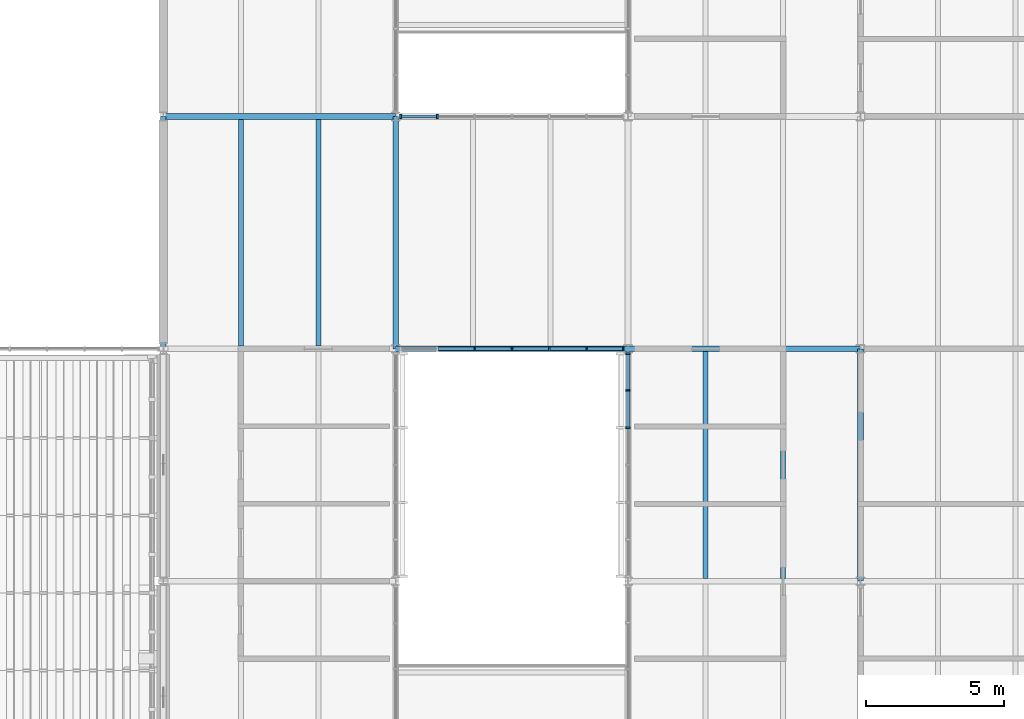
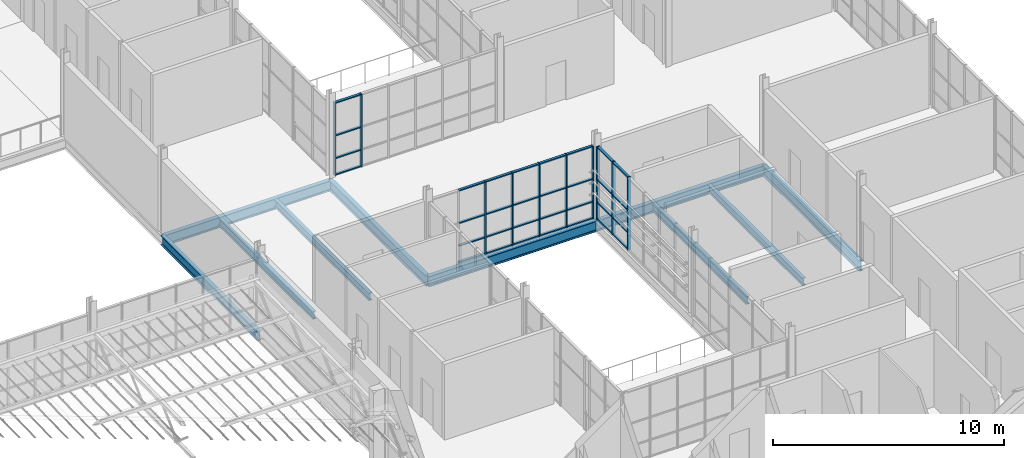
# One storey, part 42 of 129: 42 members, 10 beams, 3 elements without a shape of their own.
"""IFC4 building model written with IfcOpenShell, lengths in metres."""

import ifcopenshell
import ifcopenshell.guid

model = None  # the IFC model being written
_history = None  # IfcOwnerHistory: only IFC2X3 demands one
_inside = {}  # id of a spatial element -> (the spatial element, [elements in it])
_under = {}  # id of a project, library or spatial element -> (it, [spatial elements below it])
_declared = {}  # id of a project -> (the project, [libraries it declares])
_typed = {}  # id of a type object -> (the type object, [elements of that type])
_made_of = {}  # id of a material, layer set ... -> (it, [elements and type objects made of it])


def new_model(schema):
    """Start an empty IFC model of exactly this schema.

    Asked for "IFC4X3", IfcOpenShell would pick the latest addendum, in which some entities
    have other attributes; the version numbers below select the first issue.
    IFC2X3 requires an IfcOwnerHistory on every rooted entity: one is made here for all.
    """
    global model, _history
    if schema == "IFC4X3":
        model = ifcopenshell.file(schema_version=(4, 3, 0, 0))
    else:
        model = ifcopenshell.file(schema=schema)
    _inside.clear()
    _under.clear()
    _declared.clear()
    _typed.clear()
    _made_of.clear()
    _history = None
    if model.schema == "IFC2X3":
        org = make("IfcOrganization", Name="unknown")
        user = make(
            "IfcPersonAndOrganization",
            ThePerson=make("IfcPerson", FamilyName="unknown"),
            TheOrganization=org,
        )
        app = make(
            "IfcApplication",
            ApplicationDeveloper=org,
            Version="unknown",
            ApplicationFullName="unknown",
            ApplicationIdentifier="unknown",
        )
        _history = make(
            "IfcOwnerHistory",
            OwningUser=user,
            OwningApplication=app,
            ChangeAction="ADDED",
            CreationDate=0,
        )
    return model


def make(cls, **values):
    """One entity of the class cls with the attributes given. An attribute that is None is left unset."""
    return model.create_entity(
        cls, **{name: value for name, value in values.items() if value is not None}
    )


def rooted(cls, **values):
    """An entity with a GlobalId (a new one), such as an element, a storey or a relation."""
    return make(cls, GlobalId=ifcopenshell.guid.new(), OwnerHistory=_history, **values)


def si_unit(unit_type, name, prefix=None):
    """IfcSIUnit, for example si_unit("LENGTHUNIT", "METRE", prefix="MILLI")."""
    return make("IfcSIUnit", UnitType=unit_type, Prefix=prefix, Name=name)


def assignment(units):
    """IfcUnitAssignment: the units of a project."""
    return None if units is None else make("IfcUnitAssignment", Units=units)


def point(xyz):
    """IfcCartesianPoint."""
    return None if xyz is None else make("IfcCartesianPoint", Coordinates=xyz)


def direction(xyz):
    """IfcDirection."""
    return None if xyz is None else make("IfcDirection", DirectionRatios=xyz)


def frame(location, z_axis=None, x_axis=None):
    """IfcAxis2Placement3D, a coordinate frame: its origin and axes. An axis left out is left unset."""
    return make(
        "IfcAxis2Placement3D",
        Location=point(location),
        Axis=direction(z_axis),
        RefDirection=direction(x_axis),
    )


def frame_2d(location, x_axis=None):
    """IfcAxis2Placement2D, a coordinate frame in the plane: its origin and x axis."""
    return make(
        "IfcAxis2Placement2D", Location=point(location), RefDirection=direction(x_axis)
    )


def origin():
    """The frame at (0, 0, 0) with its axes left unset."""
    return frame((0.0, 0.0, 0.0))


def origin_2d():
    """The frame at (0, 0) in the plane with its x axis left unset."""
    return frame_2d((0.0, 0.0))


def place(relative_to, where):
    """IfcLocalPlacement: puts the frame where relative to a parent placement (None: the world)."""
    return make(
        "IfcLocalPlacement", PlacementRelTo=relative_to, RelativePlacement=where
    )


def context(
    kind, dimensions, precision=None, world=None, true_north=None, identifier=None
):
    """IfcGeometricRepresentationContext, for example the 3D "Model" context."""
    return make(
        "IfcGeometricRepresentationContext",
        ContextIdentifier=identifier,
        ContextType=kind,
        CoordinateSpaceDimension=dimensions,
        Precision=precision,
        WorldCoordinateSystem=world,
        TrueNorth=true_north,
    )


def subcontext(parent, identifier, kind, view, scale=None):
    """IfcGeometricRepresentationSubContext, for example "Body" below "Model"."""
    return make(
        "IfcGeometricRepresentationSubContext",
        ContextIdentifier=identifier,
        ContextType=kind,
        ParentContext=parent,
        TargetScale=scale,
        TargetView=view,
    )


def project(units=None, contexts=None):
    """IfcProject with its units and contexts."""
    return rooted(
        "IfcProject",
        Name="project",
        RepresentationContexts=contexts,
        UnitsInContext=assignment(units),
    )


def spatial(cls, under=None, at=None, **own):
    """A site, building, storey or space (cls), placed at a placement, below another one or the project."""
    s = rooted(cls, ObjectPlacement=at, **own)
    if under is not None:
        _under.setdefault(under.id(), (under, []))[1].append(s)
    return s


def profile(cls, at=None, kind="AREA", **sizes):
    """A parametric profile (cls). Its sizes go by their IFC names, for example OverallWidth=200.0."""
    return make(cls, ProfileType=kind, Position=at, **sizes)


def rectangle(**sizes):
    """IfcRectangleProfileDef."""
    return profile("IfcRectangleProfileDef", **sizes)


def i_section(**sizes):
    """IfcIShapeProfileDef."""
    return profile("IfcIShapeProfileDef", **sizes)


def extrude(swept, where, along, depth):
    """IfcExtrudedAreaSolid: the profile swept, set in the frame where, extruded along a direction by depth."""
    return make(
        "IfcExtrudedAreaSolid",
        SweptArea=swept,
        Position=where,
        ExtrudedDirection=direction(along),
        Depth=depth,
    )


def shape(context_of_items, identifier, shape_type, items):
    """IfcShapeRepresentation: the items that make up one representation, for example the "Body"."""
    return make(
        "IfcShapeRepresentation",
        ContextOfItems=context_of_items,
        RepresentationIdentifier=identifier,
        RepresentationType=shape_type,
        Items=items,
    )


def material(Name=None, Category=None):
    """IfcMaterial."""
    return make("IfcMaterial", Name=Name, Category=Category)


def layer(
    of_material, thickness, ventilated=None, Name=None, Category=None, Priority=None
):
    """IfcMaterialLayer: one layer of a wall or slab, of a material (None: an air gap)."""
    return make(
        "IfcMaterialLayer",
        Material=of_material,
        LayerThickness=thickness,
        IsVentilated=ventilated,
        Name=Name,
        Category=Category,
        Priority=Priority,
    )


def layer_set(layers, Name=None):
    """IfcMaterialLayerSet."""
    return make("IfcMaterialLayerSet", MaterialLayers=layers, LayerSetName=Name)


def material_profile(
    of_material, cross_section, Name=None, Category=None, Priority=None
):
    """IfcMaterialProfile: a cross section and its material."""
    return make(
        "IfcMaterialProfile",
        Name=Name,
        Material=of_material,
        Profile=cross_section,
        Priority=Priority,
        Category=Category,
    )


def profile_set(profiles, Name=None, composite=None):
    """IfcMaterialProfileSet."""
    return make(
        "IfcMaterialProfileSet",
        Name=Name,
        MaterialProfiles=profiles,
        CompositeProfile=composite,
    )


def made_of(thing, what):
    """Note that an element or type object is made of a material, layer set ...; save() writes the relation."""
    if what is not None:
        _made_of.setdefault(what.id(), (what, []))[1].append(thing)
    return thing


def type_object(cls, material=None, **own):
    """A type object (cls), such as IfcWallType, which elements share."""
    return made_of(rooted(cls, **own), material)


def element(
    cls,
    number,
    at=None,
    inside=None,
    cuts=None,
    type_object=None,
    material=None,
    context=None,
    identifier="Body",
    shape_type=None,
    held_by="IfcProductDefinitionShape",
    body=None,
    shapes=None,
    **own,
):
    """One element of the class cls, such as IfcWall. Its Tag is "e" and its number.

    at: its placement. inside: the storey or other place that contains it. cuts: it is an
    opening in that element (IfcRelVoidsElement). A single representation is given by context,
    identifier, shape_type and body (its items); several are given by shapes. held_by: the class
    of the entity that holds the representations. save() writes the other relations.
    """
    e = rooted(cls, Tag="e%d" % number, ObjectPlacement=at, **own)
    if body is not None:
        shapes = [shape(context, identifier, shape_type, body)]
    if shapes is not None:
        e.Representation = make(held_by, Representations=shapes)
    if inside is not None:
        _inside.setdefault(inside.id(), (inside, []))[1].append(e)
    if cuts is not None:
        rooted(
            "IfcRelVoidsElement", RelatingBuildingElement=cuts, RelatedOpeningElement=e
        )
    if type_object is not None:
        _typed.setdefault(type_object.id(), (type_object, []))[1].append(e)
    return made_of(e, material)


def aggregate(whole, parts):
    """IfcRelAggregates: a whole, such as a stair, and the parts it consists of."""
    return rooted("IfcRelAggregates", RelatingObject=whole, RelatedObjects=parts)


def save(model, path):
    """Write the relations noted so far, then the file.

    IfcRelAggregates (storeys below a building ...), IfcRelContainedInSpatialStructure (elements
    in a storey), IfcRelDefinesByType, IfcRelAssociatesMaterial and IfcRelDeclares: one each for
    every whole, place, type object, material and project.
    """
    for whole, parts in _under.values():
        aggregate(whole, parts)
    for where, things in _inside.values():
        rooted(
            "IfcRelContainedInSpatialStructure",
            RelatedElements=things,
            RelatingStructure=where,
        )
    for kind, things in _typed.values():
        rooted("IfcRelDefinesByType", RelatedObjects=things, RelatingType=kind)
    for what, things in _made_of.values():
        rooted("IfcRelAssociatesMaterial", RelatedObjects=things, RelatingMaterial=what)
    for by, libraries in _declared.values():
        rooted("IfcRelDeclares", RelatingContext=by, RelatedDefinitions=libraries)
    model.write(path)


model = new_model("IFC4")

# Units and contexts
model_context = context("Model", 3, precision=1e-05, world=origin(), true_north=direction((0.0, 1.0)))
body_context = subcontext(model_context, "Body", "Model", "MODEL_VIEW")
ifc_project = project(units=[si_unit("LENGTHUNIT", "METRE"), si_unit("AREAUNIT", "SQUARE_METRE"), si_unit("VOLUMEUNIT", "CUBIC_METRE"), si_unit("PLANEANGLEUNIT", "RADIAN"), si_unit("MASSUNIT", "GRAM", prefix="KILO")], contexts=[model_context])

# Site, building, storey
site_placement = place(None, origin())
site = spatial("IfcSite", under=ifc_project, at=site_placement, CompositionType="ELEMENT")
building_placement = place(site_placement, origin())
building = spatial("IfcBuilding", under=site, at=building_placement, Name="Ardhachandra Cancer Care Centre", CompositionType="ELEMENT")
storey_placement = place(building_placement, frame((0.0, 0.0, 4.5)))
storey = spatial("IfcBuildingStorey", under=building, at=storey_placement, Name="L01", CompositionType="ELEMENT", Elevation=4.5)

# Beams
ifc_material_1 = material(Name="Steel E350 (IS 2062)", Category="steel")
ifc_material_profile_1 = material_profile(ifc_material_1, i_section(OverallWidth=0.179931640625, OverallDepth=0.39990234375, WebThickness=0.008544921875, FlangeThickness=0.013427734375, FilletRadius=0.02099609375, at=origin_2d()), Name="NPB 400x180x66.30")
ifc_profile_set_1 = profile_set([ifc_material_profile_1], Name="Steel E350 (IS 2062)")
beam_type_1 = type_object("IfcBeamType", Name="Beam NPB 400x180x66.30", PredefinedType="BEAM", material=ifc_profile_set_1)
for number, where, z_axis, x_axis, name in (
    (1, (114.39990234375, 54.705078125, -0.35009765625), (0.0, 1.0, 0.0), (-1.0, 0.0, 0.0), "Secondary F13-G13@2800"),
    (2, (117.199951171875, 54.705078125, -0.35009765625), (0.0, 1.0, 0.0), (-1.0, 0.0, 0.0), "Secondary F13-G13@5600"),
):
    element("IfcBeam", number, at=place(storey_placement, frame(where, z_axis=z_axis, x_axis=x_axis)), inside=storey, type_object=beam_type_1, Name=name, PredefinedType="BEAM", context=body_context, shape_type="SweptSolid", body=[
        extrude(i_section(OverallWidth=0.179931640625, OverallDepth=0.39990234375, WebThickness=0.008544921875, FlangeThickness=0.013427734375, FilletRadius=0.02099609375, at=origin_2d()), origin(), (0.0, 0.0, 1.0), 8.18994140625),
    ])
for number, where, z_axis, x_axis, name in (
    (3, (131.199951171875, 46.304931640625, -0.35009765625), (0.0, 1.0, 0.0), (-1.0, 0.0, 0.0), "Secondary E15-F15@2800"),
    (4, (134.0, 46.304931640625, -0.35009765625), (0.0, 1.0, 0.0), (-1.0, 0.0, 0.0), "Secondary E15-F15@5600"),
):
    element("IfcBeam", number, at=place(storey_placement, frame(where, z_axis=z_axis, x_axis=x_axis)), inside=storey, type_object=beam_type_1, Name=name, PredefinedType="BEAM", context=body_context, shape_type="SweptSolid", body=[
        extrude(i_section(OverallWidth=0.179931640625, OverallDepth=0.39990234375, WebThickness=0.008544921875, FlangeThickness=0.013427734375, FilletRadius=0.02099609375, at=origin_2d()), origin(), (0.0, 0.0, 1.0), 8.190185546875),
    ])
ifc_material_2 = material(Name="Steel E350 (IS 2062)", Category="steel")
ifc_material_profile_2 = material_profile(ifc_material_2, i_section(OverallWidth=0.199951171875, OverallDepth=0.5, WebThickness=0.01025390625, FlangeThickness=0.01611328125, FilletRadius=0.02099609375, at=origin_2d()), Name="NPB 500x200x90.68")
ifc_profile_set_2 = profile_set([ifc_material_profile_2], Name="Steel E350 (IS 2062)")
beam_type_2 = type_object("IfcBeamType", Name="Beam NPB 500x200x90.68", PredefinedType="BEAM", material=ifc_profile_set_2)
beam_1_placement = place(storey_placement, frame((111.60009765625, 54.60009765625, -0.39990234375), z_axis=(0.0, 1.0, 0.0), x_axis=(-1.0, 0.0, 0.0)))
element("IfcBeam", 5, at=beam_1_placement, inside=storey, type_object=beam_type_2, Name="Edge girder F13-G13", PredefinedType="BEAM", context=body_context, shape_type="SweptSolid", body=[
    extrude(i_section(OverallWidth=0.199951171875, OverallDepth=0.5, WebThickness=0.01025390625, FlangeThickness=0.01611328125, FilletRadius=0.02099609375, at=origin_2d()), origin(), (0.0, 0.0, 1.0), 8.39990234375),
])
ifc_material_3 = material(Name="Steel E350 (IS 2062)", Category="steel")
ifc_material_profile_3 = material_profile(ifc_material_3, i_section(OverallWidth=0.2099609375, OverallDepth=0.550048828125, WebThickness=0.010986328125, FlangeThickness=0.01708984375, FilletRadius=0.02392578125, at=origin_2d()), Name="NPB 550x210x105.52")
ifc_profile_set_3 = profile_set([ifc_material_profile_3], Name="Steel E350 (IS 2062)")
beam_type_3 = type_object("IfcBeamType", Name="Beam NPB 550x210x105.52", PredefinedType="BEAM", material=ifc_profile_set_3)
beam_2_placement = place(storey_placement, frame((120.0, 54.60009765625, -0.425048828125), z_axis=(1.0, 0.0, 0.0), x_axis=(0.0, 1.0, 0.0)))
element("IfcBeam", 6, at=beam_2_placement, inside=storey, type_object=beam_type_3, Name="Girder F14-F15", PredefinedType="BEAM", context=body_context, shape_type="SweptSolid", body=[
    extrude(i_section(OverallWidth=0.2099609375, OverallDepth=0.550048828125, WebThickness=0.010986328125, FlangeThickness=0.01708984375, FilletRadius=0.02392578125, at=origin_2d()), origin(), (0.0, 0.0, 1.0), 8.39990234375),
])
beam_3_placement = place(storey_placement, frame((128.39990234375, 54.60009765625, -0.425048828125), z_axis=(1.0, 0.0, 0.0), x_axis=(0.0, 1.0, 0.0)))
element("IfcBeam", 7, at=beam_3_placement, inside=storey, type_object=beam_type_3, Name="Girder F15-F16", PredefinedType="BEAM", context=body_context, shape_type="SweptSolid", body=[
    extrude(i_section(OverallWidth=0.2099609375, OverallDepth=0.550048828125, WebThickness=0.010986328125, FlangeThickness=0.01708984375, FilletRadius=0.02392578125, at=origin_2d()), origin(), (0.0, 0.0, 1.0), 8.400146484375),
])
for number, where, z_axis, x_axis, name in (
    (8, (111.60009765625, 63.0, -0.425048828125), (1.0, 0.0, 0.0), (0.0, 1.0, 0.0), "Girder G13-G14"),
    (9, (120.0, 54.60009765625, -0.425048828125), (0.0, 1.0, 0.0), (-1.0, 0.0, 0.0), "Girder F14-G14"),
):
    element("IfcBeam", number, at=place(storey_placement, frame(where, z_axis=z_axis, x_axis=x_axis)), inside=storey, type_object=beam_type_3, Name=name, PredefinedType="BEAM", context=body_context, shape_type="SweptSolid", body=[
        extrude(i_section(OverallWidth=0.2099609375, OverallDepth=0.550048828125, WebThickness=0.010986328125, FlangeThickness=0.01708984375, FilletRadius=0.02392578125, at=origin_2d()), origin(), (0.0, 0.0, 1.0), 8.39990234375),
    ])
beam_4_placement = place(storey_placement, frame((136.800048828125, 46.199951171875, -0.425048828125), z_axis=(0.0, 1.0, 0.0), x_axis=(-1.0, 0.0, 0.0)))
element("IfcBeam", 10, at=beam_4_placement, inside=storey, type_object=beam_type_3, Name="Girder E16-F16", PredefinedType="BEAM", context=body_context, shape_type="SweptSolid", body=[
    extrude(i_section(OverallWidth=0.2099609375, OverallDepth=0.550048828125, WebThickness=0.010986328125, FlangeThickness=0.01708984375, FilletRadius=0.02392578125, at=origin_2d()), origin(), (0.0, 0.0, 1.0), 8.400146484375),
])

# Curtain wall, members
ifc_material_4 = material(Name="Aluminium extrusion", Category="aluminium")
ifc_layer = layer(ifc_material_4, 0.14990234375)
ifc_layer_set = layer_set([ifc_layer], Name="Aluminium extrusion")
curtain_wall_type = type_object("IfcCurtainWallType", Name="Curtain wall run", PredefinedType="NOTDEFINED", material=ifc_layer_set)
curtain_wall_1_placement = place(storey_placement, origin())
curtain_wall_1 = element("IfcCurtainWall", 11, at=curtain_wall_1_placement, inside=storey, type_object=curtain_wall_type, Name="Curtain wall L01 n/0120000_0063000", PredefinedType="NOTDEFINED")
ifc_material_5 = material(Name="Aluminium extrusion", Category="aluminium")
ifc_material_profile_4 = material_profile(ifc_material_5, rectangle(XDim=0.159912109375, YDim=0.06005859375, at=origin_2d()), Name="Curtain wall mullion 60 x 160")
ifc_profile_set_4 = profile_set([ifc_material_profile_4], Name="Aluminium extrusion")
member_type_1 = type_object("IfcMemberType", Name="Curtain wall mullion 60 x 160", PredefinedType="MULLION", material=ifc_profile_set_4)
member_1_placement = place(storey_placement, frame((120.179931640625, 63.0, 0.0), z_axis=(0.0, 0.0, 1.0), x_axis=(0.0, 1.0, 0.0)))
member_1 = element("IfcMember", 12, at=member_1_placement, type_object=member_type_1, Name="CW mullion 1", PredefinedType="MULLION", context=body_context, shape_type="SweptSolid", body=[
    extrude(rectangle(XDim=0.159912109375, YDim=0.06005859375, at=origin_2d()), origin(), (0.0, 0.0, 1.0), 3.85009765625),
])
member_2_placement = place(storey_placement, frame((121.5, 63.0, 0.0), z_axis=(0.0, 0.0, 1.0), x_axis=(0.0, 1.0, 0.0)))
member_2 = element("IfcMember", 13, at=member_2_placement, type_object=member_type_1, Name="CW mullion 2", PredefinedType="MULLION", context=body_context, shape_type="SweptSolid", body=[
    extrude(rectangle(XDim=0.159912109375, YDim=0.06005859375, at=origin_2d()), origin(), (0.0, 0.0, 1.0), 3.85009765625),
])

curtain_wall_2_placement = place(storey_placement, origin())
curtain_wall_2 = element("IfcCurtainWall", 14, at=curtain_wall_2_placement, inside=storey, type_object=curtain_wall_type, Name="Curtain wall L01 s/0120000_0054600", PredefinedType="NOTDEFINED")
member_3_placement = place(storey_placement, frame((122.85009765625, 54.60009765625, 0.0), z_axis=(0.0, 0.0, 1.0), x_axis=(0.0, 1.0, 0.0)))
member_3 = element("IfcMember", 15, at=member_3_placement, type_object=member_type_1, Name="CW mullion 3", PredefinedType="MULLION", context=body_context, shape_type="SweptSolid", body=[
    extrude(rectangle(XDim=0.159912109375, YDim=0.06005859375, at=origin_2d()), origin(), (0.0, 0.0, 1.0), 3.85009765625),
])
member_4_placement = place(storey_placement, frame((124.199951171875, 54.60009765625, 0.0), z_axis=(0.0, 0.0, 1.0), x_axis=(0.0, 1.0, 0.0)))
member_4 = element("IfcMember", 16, at=member_4_placement, type_object=member_type_1, Name="CW mullion 4", PredefinedType="MULLION", context=body_context, shape_type="SweptSolid", body=[
    extrude(rectangle(XDim=0.159912109375, YDim=0.06005859375, at=origin_2d()), origin(), (0.0, 0.0, 1.0), 3.85009765625),
])
member_5_placement = place(storey_placement, frame((125.550048828125, 54.60009765625, 0.0), z_axis=(0.0, 0.0, 1.0), x_axis=(0.0, 1.0, 0.0)))
member_5 = element("IfcMember", 17, at=member_5_placement, type_object=member_type_1, Name="CW mullion 5", PredefinedType="MULLION", context=body_context, shape_type="SweptSolid", body=[
    extrude(rectangle(XDim=0.159912109375, YDim=0.06005859375, at=origin_2d()), origin(), (0.0, 0.0, 1.0), 3.85009765625),
])
member_6_placement = place(storey_placement, frame((126.89990234375, 54.60009765625, 0.0), z_axis=(0.0, 0.0, 1.0), x_axis=(0.0, 1.0, 0.0)))
member_6 = element("IfcMember", 18, at=member_6_placement, type_object=member_type_1, Name="CW mullion 6", PredefinedType="MULLION", context=body_context, shape_type="SweptSolid", body=[
    extrude(rectangle(XDim=0.159912109375, YDim=0.06005859375, at=origin_2d()), origin(), (0.0, 0.0, 1.0), 3.85009765625),
])
member_7_placement = place(storey_placement, frame((128.219970703125, 54.60009765625, 0.0), z_axis=(0.0, 0.0, 1.0), x_axis=(0.0, 1.0, 0.0)))
member_7 = element("IfcMember", 19, at=member_7_placement, type_object=member_type_1, Name="CW mullion 7", PredefinedType="MULLION", context=body_context, shape_type="SweptSolid", body=[
    extrude(rectangle(XDim=0.159912109375, YDim=0.06005859375, at=origin_2d()), origin(), (0.0, 0.0, 1.0), 3.85009765625),
])

curtain_wall_3_placement = place(storey_placement, origin())
curtain_wall_3 = element("IfcCurtainWall", 20, at=curtain_wall_3_placement, inside=storey, type_object=curtain_wall_type, Name="Curtain wall L01 w/0128400_0046200", PredefinedType="NOTDEFINED")
member_8_placement = place(storey_placement, frame((128.39990234375, 51.75, 0.0), z_axis=(0.0, 0.0, 1.0), x_axis=(-1.0, 0.0, 0.0)))
member_8 = element("IfcMember", 21, at=member_8_placement, type_object=member_type_1, Name="CW mullion 5", PredefinedType="MULLION", context=body_context, shape_type="SweptSolid", body=[
    extrude(rectangle(XDim=0.159912109375, YDim=0.06005859375, at=origin_2d()), origin(), (0.0, 0.0, 1.0), 3.85009765625),
])
member_9_placement = place(storey_placement, frame((128.39990234375, 53.10009765625, 0.0), z_axis=(0.0, 0.0, 1.0), x_axis=(-1.0, 0.0, 0.0)))
member_9 = element("IfcMember", 22, at=member_9_placement, type_object=member_type_1, Name="CW mullion 6", PredefinedType="MULLION", context=body_context, shape_type="SweptSolid", body=[
    extrude(rectangle(XDim=0.159912109375, YDim=0.06005859375, at=origin_2d()), origin(), (0.0, 0.0, 1.0), 3.85009765625),
])
member_10_placement = place(storey_placement, frame((128.39990234375, 54.419921875, 0.0), z_axis=(0.0, 0.0, 1.0), x_axis=(-1.0, 0.0, 0.0)))
member_10 = element("IfcMember", 23, at=member_10_placement, type_object=member_type_1, Name="CW mullion 7", PredefinedType="MULLION", context=body_context, shape_type="SweptSolid", body=[
    extrude(rectangle(XDim=0.159912109375, YDim=0.06005859375, at=origin_2d()), origin(), (0.0, 0.0, 1.0), 3.85009765625),
])

# Member
ifc_material_6 = material(Name="Aluminium extrusion", Category="aluminium")
ifc_material_profile_5 = material_profile(ifc_material_6, rectangle(XDim=0.1201171875, YDim=0.06005859375, at=origin_2d()), Name="Curtain wall transom 60 x 120")
ifc_profile_set_5 = profile_set([ifc_material_profile_5], Name="Aluminium extrusion")
member_type_2 = type_object("IfcMemberType", Name="Curtain wall transom 60 x 120", PredefinedType="USERDEFINED", material=ifc_profile_set_5)
member_11_placement = place(storey_placement, frame((120.2099609375, 63.0, 0.030029296875), z_axis=(1.0, 0.0, 0.0), x_axis=(0.0, 1.0, 0.0)))
member_11 = element("IfcMember", 24, at=member_11_placement, type_object=member_type_2, Name="CW transom 1.1", ObjectType="TRANSOM", PredefinedType="USERDEFINED", context=body_context, shape_type="SweptSolid", body=[
    extrude(rectangle(XDim=0.1201171875, YDim=0.06005859375, at=origin_2d()), origin(), (0.0, 0.0, 1.0), 1.260009765625),
])

member_12_placement = place(storey_placement, frame((120.2099609375, 63.0, 0.89990234375), z_axis=(1.0, 0.0, 0.0), x_axis=(0.0, 1.0, 0.0)))
member_12 = element("IfcMember", 25, at=member_12_placement, type_object=member_type_2, Name="CW transom 1.2", ObjectType="TRANSOM", PredefinedType="USERDEFINED", context=body_context, shape_type="SweptSolid", body=[
    extrude(rectangle(XDim=0.1201171875, YDim=0.06005859375, at=origin_2d()), origin(), (0.0, 0.0, 1.0), 1.260009765625),
])

member_13_placement = place(storey_placement, frame((120.2099609375, 63.0, 2.10009765625), z_axis=(1.0, 0.0, 0.0), x_axis=(0.0, 1.0, 0.0)))
member_13 = element("IfcMember", 26, at=member_13_placement, type_object=member_type_2, Name="CW transom 1.3", ObjectType="TRANSOM", PredefinedType="USERDEFINED", context=body_context, shape_type="SweptSolid", body=[
    extrude(rectangle(XDim=0.1201171875, YDim=0.06005859375, at=origin_2d()), origin(), (0.0, 0.0, 1.0), 1.260009765625),
])

member_14_placement = place(storey_placement, frame((120.2099609375, 63.0, 3.820068359375), z_axis=(1.0, 0.0, 0.0), x_axis=(0.0, 1.0, 0.0)))
member_14 = element("IfcMember", 27, at=member_14_placement, type_object=member_type_2, Name="CW transom 1.4", ObjectType="TRANSOM", PredefinedType="USERDEFINED", context=body_context, shape_type="SweptSolid", body=[
    extrude(rectangle(XDim=0.1201171875, YDim=0.06005859375, at=origin_2d()), origin(), (0.0, 0.0, 1.0), 1.260009765625),
])

aggregate(curtain_wall_1, [member_1, member_2, member_11, member_12, member_13, member_14])

member_15_placement = place(storey_placement, frame((121.530029296875, 54.60009765625, 0.030029296875), z_axis=(1.0, 0.0, 0.0), x_axis=(0.0, 1.0, 0.0)))
member_15 = element("IfcMember", 28, at=member_15_placement, type_object=member_type_2, Name="CW transom 2.1", ObjectType="TRANSOM", PredefinedType="USERDEFINED", context=body_context, shape_type="SweptSolid", body=[
    extrude(rectangle(XDim=0.1201171875, YDim=0.06005859375, at=origin_2d()), origin(), (0.0, 0.0, 1.0), 1.2900390625),
])

member_16_placement = place(storey_placement, frame((121.530029296875, 54.60009765625, 0.89990234375), z_axis=(1.0, 0.0, 0.0), x_axis=(0.0, 1.0, 0.0)))
member_16 = element("IfcMember", 29, at=member_16_placement, type_object=member_type_2, Name="CW transom 2.2", ObjectType="TRANSOM", PredefinedType="USERDEFINED", context=body_context, shape_type="SweptSolid", body=[
    extrude(rectangle(XDim=0.1201171875, YDim=0.06005859375, at=origin_2d()), origin(), (0.0, 0.0, 1.0), 1.2900390625),
])

member_17_placement = place(storey_placement, frame((121.530029296875, 54.60009765625, 2.10009765625), z_axis=(1.0, 0.0, 0.0), x_axis=(0.0, 1.0, 0.0)))
member_17 = element("IfcMember", 30, at=member_17_placement, type_object=member_type_2, Name="CW transom 2.3", ObjectType="TRANSOM", PredefinedType="USERDEFINED", context=body_context, shape_type="SweptSolid", body=[
    extrude(rectangle(XDim=0.1201171875, YDim=0.06005859375, at=origin_2d()), origin(), (0.0, 0.0, 1.0), 1.2900390625),
])

member_18_placement = place(storey_placement, frame((121.530029296875, 54.60009765625, 3.820068359375), z_axis=(1.0, 0.0, 0.0), x_axis=(0.0, 1.0, 0.0)))
member_18 = element("IfcMember", 31, at=member_18_placement, type_object=member_type_2, Name="CW transom 2.4", ObjectType="TRANSOM", PredefinedType="USERDEFINED", context=body_context, shape_type="SweptSolid", body=[
    extrude(rectangle(XDim=0.1201171875, YDim=0.06005859375, at=origin_2d()), origin(), (0.0, 0.0, 1.0), 1.2900390625),
])

member_19_placement = place(storey_placement, frame((122.8798828125, 54.60009765625, 0.030029296875), z_axis=(1.0, 0.0, 0.0), x_axis=(0.0, 1.0, 0.0)))
member_19 = element("IfcMember", 32, at=member_19_placement, type_object=member_type_2, Name="CW transom 3.1", ObjectType="TRANSOM", PredefinedType="USERDEFINED", context=body_context, shape_type="SweptSolid", body=[
    extrude(rectangle(XDim=0.1201171875, YDim=0.06005859375, at=origin_2d()), origin(), (0.0, 0.0, 1.0), 1.2900390625),
])

member_20_placement = place(storey_placement, frame((122.8798828125, 54.60009765625, 0.89990234375), z_axis=(1.0, 0.0, 0.0), x_axis=(0.0, 1.0, 0.0)))
member_20 = element("IfcMember", 33, at=member_20_placement, type_object=member_type_2, Name="CW transom 3.2", ObjectType="TRANSOM", PredefinedType="USERDEFINED", context=body_context, shape_type="SweptSolid", body=[
    extrude(rectangle(XDim=0.1201171875, YDim=0.06005859375, at=origin_2d()), origin(), (0.0, 0.0, 1.0), 1.2900390625),
])

member_21_placement = place(storey_placement, frame((122.8798828125, 54.60009765625, 2.10009765625), z_axis=(1.0, 0.0, 0.0), x_axis=(0.0, 1.0, 0.0)))
member_21 = element("IfcMember", 34, at=member_21_placement, type_object=member_type_2, Name="CW transom 3.3", ObjectType="TRANSOM", PredefinedType="USERDEFINED", context=body_context, shape_type="SweptSolid", body=[
    extrude(rectangle(XDim=0.1201171875, YDim=0.06005859375, at=origin_2d()), origin(), (0.0, 0.0, 1.0), 1.2900390625),
])

member_22_placement = place(storey_placement, frame((122.8798828125, 54.60009765625, 3.820068359375), z_axis=(1.0, 0.0, 0.0), x_axis=(0.0, 1.0, 0.0)))
member_22 = element("IfcMember", 35, at=member_22_placement, type_object=member_type_2, Name="CW transom 3.4", ObjectType="TRANSOM", PredefinedType="USERDEFINED", context=body_context, shape_type="SweptSolid", body=[
    extrude(rectangle(XDim=0.1201171875, YDim=0.06005859375, at=origin_2d()), origin(), (0.0, 0.0, 1.0), 1.2900390625),
])

member_23_placement = place(storey_placement, frame((124.22998046875, 54.60009765625, 0.030029296875), z_axis=(1.0, 0.0, 0.0), x_axis=(0.0, 1.0, 0.0)))
member_23 = element("IfcMember", 36, at=member_23_placement, type_object=member_type_2, Name="CW transom 4.1", ObjectType="TRANSOM", PredefinedType="USERDEFINED", context=body_context, shape_type="SweptSolid", body=[
    extrude(rectangle(XDim=0.1201171875, YDim=0.06005859375, at=origin_2d()), origin(), (0.0, 0.0, 1.0), 1.2900390625),
])

member_24_placement = place(storey_placement, frame((124.22998046875, 54.60009765625, 0.89990234375), z_axis=(1.0, 0.0, 0.0), x_axis=(0.0, 1.0, 0.0)))
member_24 = element("IfcMember", 37, at=member_24_placement, type_object=member_type_2, Name="CW transom 4.2", ObjectType="TRANSOM", PredefinedType="USERDEFINED", context=body_context, shape_type="SweptSolid", body=[
    extrude(rectangle(XDim=0.1201171875, YDim=0.06005859375, at=origin_2d()), origin(), (0.0, 0.0, 1.0), 1.2900390625),
])

member_25_placement = place(storey_placement, frame((124.22998046875, 54.60009765625, 2.10009765625), z_axis=(1.0, 0.0, 0.0), x_axis=(0.0, 1.0, 0.0)))
member_25 = element("IfcMember", 38, at=member_25_placement, type_object=member_type_2, Name="CW transom 4.3", ObjectType="TRANSOM", PredefinedType="USERDEFINED", context=body_context, shape_type="SweptSolid", body=[
    extrude(rectangle(XDim=0.1201171875, YDim=0.06005859375, at=origin_2d()), origin(), (0.0, 0.0, 1.0), 1.2900390625),
])

member_26_placement = place(storey_placement, frame((124.22998046875, 54.60009765625, 3.820068359375), z_axis=(1.0, 0.0, 0.0), x_axis=(0.0, 1.0, 0.0)))
member_26 = element("IfcMember", 39, at=member_26_placement, type_object=member_type_2, Name="CW transom 4.4", ObjectType="TRANSOM", PredefinedType="USERDEFINED", context=body_context, shape_type="SweptSolid", body=[
    extrude(rectangle(XDim=0.1201171875, YDim=0.06005859375, at=origin_2d()), origin(), (0.0, 0.0, 1.0), 1.2900390625),
])

member_27_placement = place(storey_placement, frame((125.580078125, 54.60009765625, 0.030029296875), z_axis=(1.0, 0.0, 0.0), x_axis=(0.0, 1.0, 0.0)))
member_27 = element("IfcMember", 40, at=member_27_placement, type_object=member_type_2, Name="CW transom 5.1", ObjectType="TRANSOM", PredefinedType="USERDEFINED", context=body_context, shape_type="SweptSolid", body=[
    extrude(rectangle(XDim=0.1201171875, YDim=0.06005859375, at=origin_2d()), origin(), (0.0, 0.0, 1.0), 1.2900390625),
])

member_28_placement = place(storey_placement, frame((125.580078125, 54.60009765625, 0.89990234375), z_axis=(1.0, 0.0, 0.0), x_axis=(0.0, 1.0, 0.0)))
member_28 = element("IfcMember", 41, at=member_28_placement, type_object=member_type_2, Name="CW transom 5.2", ObjectType="TRANSOM", PredefinedType="USERDEFINED", context=body_context, shape_type="SweptSolid", body=[
    extrude(rectangle(XDim=0.1201171875, YDim=0.06005859375, at=origin_2d()), origin(), (0.0, 0.0, 1.0), 1.2900390625),
])

member_29_placement = place(storey_placement, frame((125.580078125, 54.60009765625, 2.10009765625), z_axis=(1.0, 0.0, 0.0), x_axis=(0.0, 1.0, 0.0)))
member_29 = element("IfcMember", 42, at=member_29_placement, type_object=member_type_2, Name="CW transom 5.3", ObjectType="TRANSOM", PredefinedType="USERDEFINED", context=body_context, shape_type="SweptSolid", body=[
    extrude(rectangle(XDim=0.1201171875, YDim=0.06005859375, at=origin_2d()), origin(), (0.0, 0.0, 1.0), 1.2900390625),
])

member_30_placement = place(storey_placement, frame((125.580078125, 54.60009765625, 3.820068359375), z_axis=(1.0, 0.0, 0.0), x_axis=(0.0, 1.0, 0.0)))
member_30 = element("IfcMember", 43, at=member_30_placement, type_object=member_type_2, Name="CW transom 5.4", ObjectType="TRANSOM", PredefinedType="USERDEFINED", context=body_context, shape_type="SweptSolid", body=[
    extrude(rectangle(XDim=0.1201171875, YDim=0.06005859375, at=origin_2d()), origin(), (0.0, 0.0, 1.0), 1.2900390625),
])

member_31_placement = place(storey_placement, frame((126.929931640625, 54.60009765625, 0.030029296875), z_axis=(1.0, 0.0, 0.0), x_axis=(0.0, 1.0, 0.0)))
member_31 = element("IfcMember", 44, at=member_31_placement, type_object=member_type_2, Name="CW transom 6.1", ObjectType="TRANSOM", PredefinedType="USERDEFINED", context=body_context, shape_type="SweptSolid", body=[
    extrude(rectangle(XDim=0.1201171875, YDim=0.06005859375, at=origin_2d()), origin(), (0.0, 0.0, 1.0), 1.260009765625),
])

member_32_placement = place(storey_placement, frame((126.929931640625, 54.60009765625, 0.89990234375), z_axis=(1.0, 0.0, 0.0), x_axis=(0.0, 1.0, 0.0)))
member_32 = element("IfcMember", 45, at=member_32_placement, type_object=member_type_2, Name="CW transom 6.2", ObjectType="TRANSOM", PredefinedType="USERDEFINED", context=body_context, shape_type="SweptSolid", body=[
    extrude(rectangle(XDim=0.1201171875, YDim=0.06005859375, at=origin_2d()), origin(), (0.0, 0.0, 1.0), 1.260009765625),
])

member_33_placement = place(storey_placement, frame((126.929931640625, 54.60009765625, 2.10009765625), z_axis=(1.0, 0.0, 0.0), x_axis=(0.0, 1.0, 0.0)))
member_33 = element("IfcMember", 46, at=member_33_placement, type_object=member_type_2, Name="CW transom 6.3", ObjectType="TRANSOM", PredefinedType="USERDEFINED", context=body_context, shape_type="SweptSolid", body=[
    extrude(rectangle(XDim=0.1201171875, YDim=0.06005859375, at=origin_2d()), origin(), (0.0, 0.0, 1.0), 1.260009765625),
])

member_34_placement = place(storey_placement, frame((126.929931640625, 54.60009765625, 3.820068359375), z_axis=(1.0, 0.0, 0.0), x_axis=(0.0, 1.0, 0.0)))
member_34 = element("IfcMember", 47, at=member_34_placement, type_object=member_type_2, Name="CW transom 6.4", ObjectType="TRANSOM", PredefinedType="USERDEFINED", context=body_context, shape_type="SweptSolid", body=[
    extrude(rectangle(XDim=0.1201171875, YDim=0.06005859375, at=origin_2d()), origin(), (0.0, 0.0, 1.0), 1.260009765625),
])

aggregate(curtain_wall_2, [member_3, member_4, member_5, member_6, member_7, member_15, member_16, member_17, member_18, member_19, member_20, member_21, member_22, member_23, member_24, member_25, member_26, member_27, member_28, member_29, member_30, member_31, member_32, member_33, member_34])

member_35_placement = place(storey_placement, frame((128.39990234375, 51.780029296875, 0.030029296875), z_axis=(0.0, 1.0, 0.0), x_axis=(-1.0, 0.0, 0.0)))
member_35 = element("IfcMember", 48, at=member_35_placement, type_object=member_type_2, Name="CW transom 5.1", ObjectType="TRANSOM", PredefinedType="USERDEFINED", context=body_context, shape_type="SweptSolid", body=[
    extrude(rectangle(XDim=0.1201171875, YDim=0.06005859375, at=origin_2d()), origin(), (0.0, 0.0, 1.0), 1.2900390625),
])

member_36_placement = place(storey_placement, frame((128.39990234375, 51.780029296875, 0.89990234375), z_axis=(0.0, 1.0, 0.0), x_axis=(-1.0, 0.0, 0.0)))
member_36 = element("IfcMember", 49, at=member_36_placement, type_object=member_type_2, Name="CW transom 5.2", ObjectType="TRANSOM", PredefinedType="USERDEFINED", context=body_context, shape_type="SweptSolid", body=[
    extrude(rectangle(XDim=0.1201171875, YDim=0.06005859375, at=origin_2d()), origin(), (0.0, 0.0, 1.0), 1.2900390625),
])

member_37_placement = place(storey_placement, frame((128.39990234375, 51.780029296875, 2.10009765625), z_axis=(0.0, 1.0, 0.0), x_axis=(-1.0, 0.0, 0.0)))
member_37 = element("IfcMember", 50, at=member_37_placement, type_object=member_type_2, Name="CW transom 5.3", ObjectType="TRANSOM", PredefinedType="USERDEFINED", context=body_context, shape_type="SweptSolid", body=[
    extrude(rectangle(XDim=0.1201171875, YDim=0.06005859375, at=origin_2d()), origin(), (0.0, 0.0, 1.0), 1.2900390625),
])

member_38_placement = place(storey_placement, frame((128.39990234375, 51.780029296875, 3.820068359375), z_axis=(0.0, 1.0, 0.0), x_axis=(-1.0, 0.0, 0.0)))
member_38 = element("IfcMember", 51, at=member_38_placement, type_object=member_type_2, Name="CW transom 5.4", ObjectType="TRANSOM", PredefinedType="USERDEFINED", context=body_context, shape_type="SweptSolid", body=[
    extrude(rectangle(XDim=0.1201171875, YDim=0.06005859375, at=origin_2d()), origin(), (0.0, 0.0, 1.0), 1.2900390625),
])

member_39_placement = place(storey_placement, frame((128.39990234375, 53.1298828125, 0.030029296875), z_axis=(0.0, 1.0, 0.0), x_axis=(-1.0, 0.0, 0.0)))
member_39 = element("IfcMember", 52, at=member_39_placement, type_object=member_type_2, Name="CW transom 6.1", ObjectType="TRANSOM", PredefinedType="USERDEFINED", context=body_context, shape_type="SweptSolid", body=[
    extrude(rectangle(XDim=0.1201171875, YDim=0.06005859375, at=origin_2d()), origin(), (0.0, 0.0, 1.0), 1.260009765625),
])

member_40_placement = place(storey_placement, frame((128.39990234375, 53.1298828125, 0.89990234375), z_axis=(0.0, 1.0, 0.0), x_axis=(-1.0, 0.0, 0.0)))
member_40 = element("IfcMember", 53, at=member_40_placement, type_object=member_type_2, Name="CW transom 6.2", ObjectType="TRANSOM", PredefinedType="USERDEFINED", context=body_context, shape_type="SweptSolid", body=[
    extrude(rectangle(XDim=0.1201171875, YDim=0.06005859375, at=origin_2d()), origin(), (0.0, 0.0, 1.0), 1.260009765625),
])

member_41_placement = place(storey_placement, frame((128.39990234375, 53.1298828125, 2.10009765625), z_axis=(0.0, 1.0, 0.0), x_axis=(-1.0, 0.0, 0.0)))
member_41 = element("IfcMember", 54, at=member_41_placement, type_object=member_type_2, Name="CW transom 6.3", ObjectType="TRANSOM", PredefinedType="USERDEFINED", context=body_context, shape_type="SweptSolid", body=[
    extrude(rectangle(XDim=0.1201171875, YDim=0.06005859375, at=origin_2d()), origin(), (0.0, 0.0, 1.0), 1.260009765625),
])

member_42_placement = place(storey_placement, frame((128.39990234375, 53.1298828125, 3.820068359375), z_axis=(0.0, 1.0, 0.0), x_axis=(-1.0, 0.0, 0.0)))
member_42 = element("IfcMember", 55, at=member_42_placement, type_object=member_type_2, Name="CW transom 6.4", ObjectType="TRANSOM", PredefinedType="USERDEFINED", context=body_context, shape_type="SweptSolid", body=[
    extrude(rectangle(XDim=0.1201171875, YDim=0.06005859375, at=origin_2d()), origin(), (0.0, 0.0, 1.0), 1.260009765625),
])

aggregate(curtain_wall_3, [member_8, member_9, member_10, member_35, member_36, member_37, member_38, member_39, member_40, member_41, member_42])

save(model, "model.ifc")
